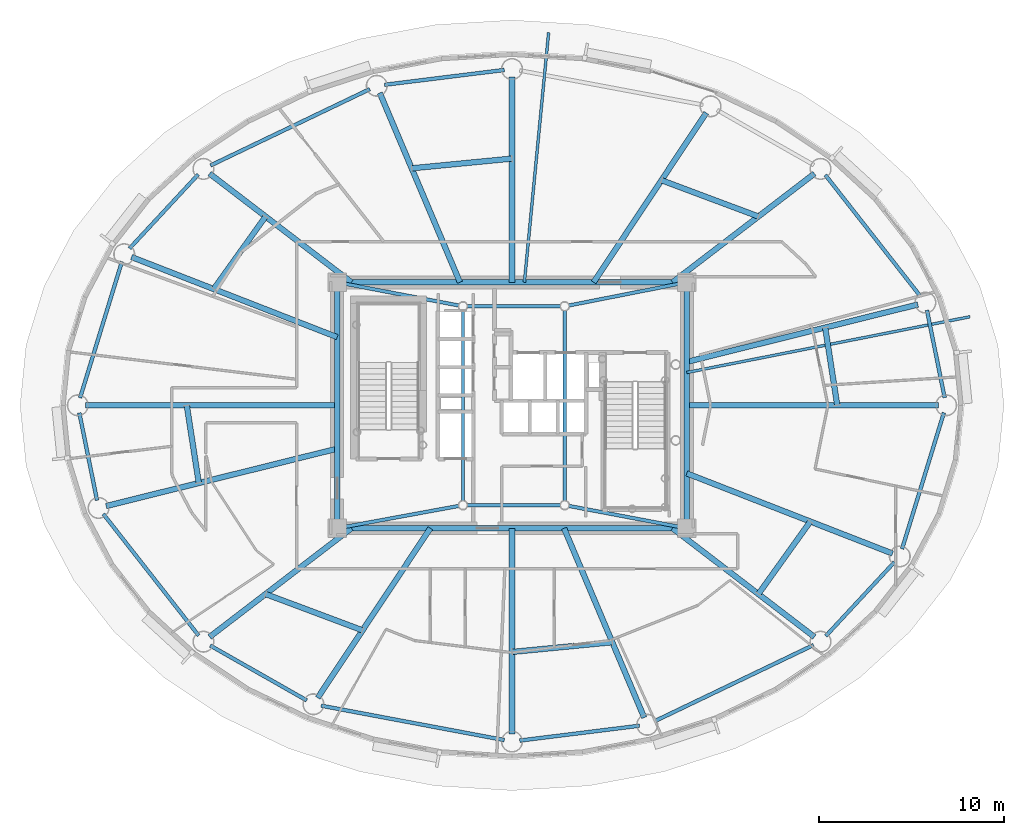
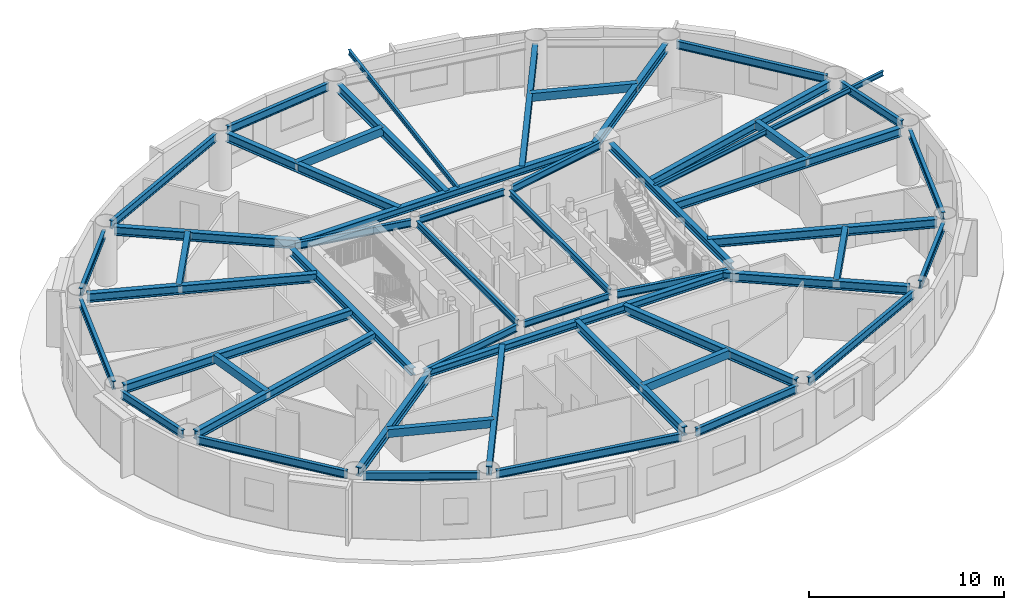
# One storey, part 3 of 19: 52 beams.
"""IFC4 building model written with IfcOpenShell, lengths in metres."""

from ifc_helpers import new_model, si_unit, direction, frame, origin, origin_2d, place, context, subcontext, project, spatial, hollow_rectangle, i_section, extrude, material, material_profile, profile_set, type_object, element, save


model = new_model("IFC4")

# Units and contexts
model_context = context("Model", 3, precision=1e-05, world=origin(), true_north=direction((0.0, 1.0)))
body_context = subcontext(model_context, "Body", "Model", "MODEL_VIEW")
ifc_project = project(units=[si_unit("LENGTHUNIT", "METRE"), si_unit("AREAUNIT", "SQUARE_METRE"), si_unit("VOLUMEUNIT", "CUBIC_METRE"), si_unit("PLANEANGLEUNIT", "RADIAN"), si_unit("MASSUNIT", "GRAM", prefix="KILO")], contexts=[model_context])

# Site, building, storey
site_placement = place(None, origin())
site = spatial("IfcSite", under=ifc_project, at=site_placement, CompositionType="ELEMENT")
building_placement = place(site_placement, origin())
building = spatial("IfcBuilding", under=site, at=building_placement, Name="Linh Dai School and Residence Tower", CompositionType="ELEMENT")
storey_placement = place(building_placement, frame((0.0, 0.0, 210.300048828125)))
storey = spatial("IfcBuildingStorey", under=building, at=storey_placement, Name="L51", CompositionType="ELEMENT", Elevation=210.300048828125)

# Beams
ifc_material = material(Name="Structural Steel S355JR", Category="steel")
ifc_material_profile_1 = material_profile(ifc_material, i_section(OverallWidth=0.14990234375, OverallDepth=0.300048828125, WebThickness=0.007080078125, FlangeThickness=0.0107421875, at=origin_2d()), Name="IPE 300")
ifc_profile_set_1 = profile_set([ifc_material_profile_1], Name="Structural Steel S355JR")
beam_type_1 = type_object("IfcBeamType", Name="BM-BALC-CANT", PredefinedType="BEAM", material=ifc_profile_set_1)
beam_1_placement = place(storey_placement, frame((45.449951171875, 28.770751953125, 3.349853515625), z_axis=(0.981150475186, 0.193245297597, 0.0), x_axis=(-0.193245297597, 0.981150475186, 0.0)))
element("IfcBeam", 1, at=beam_1_placement, inside=storey, type_object=beam_type_1, Name="L52 Balcony Continuous Cantilever Beam 02", PredefinedType="BEAM", context=body_context, shape_type="SweptSolid", body=[
    extrude(i_section(OverallWidth=0.14990234375, OverallDepth=0.300048828125, WebThickness=0.007080078125, FlangeThickness=0.0107421875, at=origin_2d()), origin(), (0.0, 0.0, 1.0), 15.6064453125),
])
beam_2_placement = place(storey_placement, frame((36.670166015625, 33.64990234375, 3.349853515625), z_axis=(0.096583141072, 0.995324920245, 0.0), x_axis=(-0.995324920245, 0.096583141072, 0.0)))
element("IfcBeam", 2, at=beam_2_placement, inside=storey, type_object=beam_type_1, Name="L52 Balcony Continuous Cantilever Beam 10", PredefinedType="BEAM", context=body_context, shape_type="SweptSolid", body=[
    extrude(i_section(OverallWidth=0.14990234375, OverallDepth=0.300048828125, WebThickness=0.007080078125, FlangeThickness=0.0107421875, at=origin_2d()), origin(), (0.0, 0.0, 1.0), 13.55908203125),
])
ifc_material_profile_2 = material_profile(ifc_material, hollow_rectangle(XDim=0.300048828125, YDim=0.5, WallThickness=0.01611328125, at=origin_2d()), Name="RHS 500x300x16")
ifc_profile_set_2 = profile_set([ifc_material_profile_2], Name="Structural Steel S355JR")
beam_type_2 = type_object("IfcBeamType", Name="BM-BX5", PredefinedType="BEAM", material=ifc_profile_set_2)
beam_3_placement = place(storey_placement, frame((53.583740234375, 27.0048828125, 3.25), z_axis=(-0.153185278766, 0.988197485511, 0.0), x_axis=(-0.988197485511, -0.153185278766, 0.0)))
element("IfcBeam", 3, at=beam_3_placement, inside=storey, type_object=beam_type_2, Name="L51 Secondary Circumferential Floor Beam 01", PredefinedType="BEAM", context=body_context, shape_type="SweptSolid", body=[
    extrude(hollow_rectangle(XDim=0.300048828125, YDim=0.5, WallThickness=0.01611328125, at=origin_2d()), origin(), (0.0, 0.0, 1.0), 4.244140625),
])
beam_4_placement = place(storey_placement, frame((49.3173828125, 37.207763671875, 3.25), z_axis=(-0.936542736839, 0.350553422567, 0.0), x_axis=(-0.350553422567, -0.936542736839, 0.0)))
element("IfcBeam", 4, at=beam_4_placement, inside=storey, type_object=beam_type_2, Name="L51 Secondary Circumferential Floor Beam 02", PredefinedType="BEAM", context=body_context, shape_type="SweptSolid", body=[
    extrude(hollow_rectangle(XDim=0.300048828125, YDim=0.5, WallThickness=0.01611328125, at=origin_2d()), origin(), (0.0, 0.0, 1.0), 5.586181640625),
])
beam_5_placement = place(storey_placement, frame((35.9951171875, 40.3369140625, 3.25), z_axis=(-0.99533180868, -0.096512126851, 0.0), x_axis=(0.096512126851, -0.99533180868, 0.0)))
element("IfcBeam", 5, at=beam_5_placement, inside=storey, type_object=beam_type_2, Name="L51 Secondary Circumferential Floor Beam 03", PredefinedType="BEAM", context=body_context, shape_type="SweptSolid", body=[
    extrude(hollow_rectangle(XDim=0.300048828125, YDim=0.5, WallThickness=0.01611328125, at=origin_2d()), origin(), (0.0, 0.0, 1.0), 5.438720703125),
])
beam_6_placement = place(storey_placement, frame((22.675048828125, 37.201904296875, 3.25), z_axis=(-0.582034525951, -0.813164073605, 0.0), x_axis=(0.813164073605, -0.582034525951, 0.0)))
element("IfcBeam", 6, at=beam_6_placement, inside=storey, type_object=beam_type_2, Name="L51 Secondary Circumferential Floor Beam 04", PredefinedType="BEAM", context=body_context, shape_type="SweptSolid", body=[
    extrude(hollow_rectangle(XDim=0.300048828125, YDim=0.5, WallThickness=0.01611328125, at=origin_2d()), origin(), (0.0, 0.0, 1.0), 4.8125),
])
beam_7_placement = place(storey_placement, frame((18.416259765625, 26.9951171875, 3.25), z_axis=(0.153185278766, -0.988197485511, 0.0), x_axis=(0.988197485511, 0.153185278766, 0.0)))
element("IfcBeam", 7, at=beam_7_placement, inside=storey, type_object=beam_type_2, Name="L51 Secondary Circumferential Floor Beam 05", PredefinedType="BEAM", context=body_context, shape_type="SweptSolid", body=[
    extrude(hollow_rectangle(XDim=0.300048828125, YDim=0.5, WallThickness=0.01611328125, at=origin_2d()), origin(), (0.0, 0.0, 1.0), 4.244140625),
])
beam_8_placement = place(storey_placement, frame((22.6826171875, 16.792236328125, 3.25), z_axis=(0.936542736839, -0.350553422567, 0.0), x_axis=(0.350553422567, 0.936542736839, 0.0)))
element("IfcBeam", 8, at=beam_8_placement, inside=storey, type_object=beam_type_2, Name="L51 Secondary Circumferential Floor Beam 06", PredefinedType="BEAM", context=body_context, shape_type="SweptSolid", body=[
    extrude(hollow_rectangle(XDim=0.300048828125, YDim=0.5, WallThickness=0.01611328125, at=origin_2d()), origin(), (0.0, 0.0, 1.0), 5.586181640625),
])
beam_9_placement = place(storey_placement, frame((36.0048828125, 13.6630859375, 3.25), z_axis=(0.99533180868, 0.096512126851, 0.0), x_axis=(-0.096512126851, 0.99533180868, 0.0)))
element("IfcBeam", 9, at=beam_9_placement, inside=storey, type_object=beam_type_2, Name="L51 Secondary Circumferential Floor Beam 07", PredefinedType="BEAM", context=body_context, shape_type="SweptSolid", body=[
    extrude(hollow_rectangle(XDim=0.300048828125, YDim=0.5, WallThickness=0.01611328125, at=origin_2d()), origin(), (0.0, 0.0, 1.0), 5.438720703125),
])
beam_10_placement = place(storey_placement, frame((49.324951171875, 16.798095703125, 3.25), z_axis=(0.582034525951, 0.813164073605, 0.0), x_axis=(-0.813164073605, 0.582034525951, 0.0)))
element("IfcBeam", 10, at=beam_10_placement, inside=storey, type_object=beam_type_2, Name="L51 Secondary Circumferential Floor Beam 08", PredefinedType="BEAM", context=body_context, shape_type="SweptSolid", body=[
    extrude(hollow_rectangle(XDim=0.300048828125, YDim=0.5, WallThickness=0.01611328125, at=origin_2d()), origin(), (0.0, 0.0, 1.0), 4.8125),
])
ifc_material_profile_3 = material_profile(ifc_material, i_section(OverallWidth=0.199951171875, OverallDepth=0.5, WebThickness=0.01025390625, FlangeThickness=0.01611328125, FilletRadius=0.02099609375, at=origin_2d()), Name="IPE 500")
ifc_profile_set_3 = profile_set([ifc_material_profile_3], Name="Structural Steel S355JR")
beam_type_3 = type_object("IfcBeamType", Name="BM-RB50", PredefinedType="BEAM", material=ifc_profile_set_3)
beam_11_placement = place(storey_placement, frame((59.3916015625, 27.41162109375, 3.25), z_axis=(-0.198423200906, 0.980116438666, 0.0), x_axis=(-0.980116438666, -0.198423200906, 0.0)))
element("IfcBeam", 11, at=beam_11_placement, inside=storey, type_object=beam_type_3, Name="L51 Perimeter Elliptical Ring Beam 01", PredefinedType="BEAM", context=body_context, shape_type="SweptSolid", body=[
    extrude(i_section(OverallWidth=0.199951171875, OverallDepth=0.5, WebThickness=0.01025390625, FlangeThickness=0.01611328125, FilletRadius=0.02099609375, at=origin_2d()), origin(), (0.0, 0.0, 1.0), 4.822021484375),
])
beam_12_placement = place(storey_placement, frame((58.09228515625, 32.8798828125, 3.25), z_axis=(-0.616900268003, 0.787041332674, 0.0), x_axis=(-0.787041332674, -0.616900268003, 0.0)))
element("IfcBeam", 12, at=beam_12_placement, inside=storey, type_object=beam_type_3, Name="L51 Perimeter Elliptical Ring Beam 02", PredefinedType="BEAM", context=body_context, shape_type="SweptSolid", body=[
    extrude(i_section(OverallWidth=0.199951171875, OverallDepth=0.5, WebThickness=0.01025390625, FlangeThickness=0.01611328125, FilletRadius=0.02099609375, at=origin_2d()), origin(), (0.0, 0.0, 1.0), 8.348388671875),
])
beam_13_placement = place(storey_placement, frame((35.583251953125, 45.12841796875, 3.25), z_axis=(-0.992401656104, -0.123040452539, 0.0), x_axis=(0.123040452539, -0.992401656104, 0.0)))
element("IfcBeam", 13, at=beam_13_placement, inside=storey, type_object=beam_type_3, Name="L51 Perimeter Elliptical Ring Beam 05", PredefinedType="BEAM", context=body_context, shape_type="SweptSolid", body=[
    extrude(i_section(OverallWidth=0.199951171875, OverallDepth=0.5, WebThickness=0.01025390625, FlangeThickness=0.01611328125, FilletRadius=0.02099609375, at=origin_2d()), origin(), (0.0, 0.0, 1.0), 6.528076171875),
])
beam_14_placement = place(storey_placement, frame((28.309326171875, 44.092041015625, 3.25), z_axis=(-0.901735920201, -0.432287323686, 0.0), x_axis=(0.432287323686, -0.901735920201, 0.0)))
element("IfcBeam", 14, at=beam_14_placement, inside=storey, type_object=beam_type_3, Name="L51 Perimeter Elliptical Ring Beam 06", PredefinedType="BEAM", context=body_context, shape_type="SweptSolid", body=[
    extrude(i_section(OverallWidth=0.199951171875, OverallDepth=0.5, WebThickness=0.01025390625, FlangeThickness=0.01611328125, FilletRadius=0.02099609375, at=origin_2d()), origin(), (0.0, 0.0, 1.0), 9.552490234375),
])
beam_15_placement = place(storey_placement, frame((19.031005859375, 39.47314453125, 3.25), z_axis=(-0.68040816846, -0.732833353699, 0.0), x_axis=(0.732833353699, -0.68040816846, 0.0)))
element("IfcBeam", 15, at=beam_15_placement, inside=storey, type_object=beam_type_3, Name="L51 Perimeter Elliptical Ring Beam 07", PredefinedType="BEAM", context=body_context, shape_type="SweptSolid", body=[
    extrude(i_section(OverallWidth=0.199951171875, OverallDepth=0.5, WebThickness=0.01025390625, FlangeThickness=0.01611328125, FilletRadius=0.02099609375, at=origin_2d()), origin(), (0.0, 0.0, 1.0), 5.453369140625),
])
beam_16_placement = place(storey_placement, frame((14.911376953125, 34.767578125, 3.25), z_axis=(-0.293660595717, -0.95590975229, 0.0), x_axis=(0.95590975229, -0.293660595717, 0.0)))
element("IfcBeam", 16, at=beam_16_placement, inside=storey, type_object=beam_type_3, Name="L51 Perimeter Elliptical Ring Beam 08", PredefinedType="BEAM", context=body_context, shape_type="SweptSolid", body=[
    extrude(i_section(OverallWidth=0.199951171875, OverallDepth=0.5, WebThickness=0.01025390625, FlangeThickness=0.01611328125, FilletRadius=0.02099609375, at=origin_2d()), origin(), (0.0, 0.0, 1.0), 7.7060546875),
])
beam_17_placement = place(storey_placement, frame((12.6083984375, 26.58837890625, 3.25), z_axis=(0.198423200906, -0.980116438666, 0.0), x_axis=(0.980116438666, 0.198423200906, 0.0)))
element("IfcBeam", 17, at=beam_17_placement, inside=storey, type_object=beam_type_3, Name="L51 Perimeter Elliptical Ring Beam 09", PredefinedType="BEAM", context=body_context, shape_type="SweptSolid", body=[
    extrude(i_section(OverallWidth=0.199951171875, OverallDepth=0.5, WebThickness=0.01025390625, FlangeThickness=0.01611328125, FilletRadius=0.02099609375, at=origin_2d()), origin(), (0.0, 0.0, 1.0), 4.822021484375),
])
beam_18_placement = place(storey_placement, frame((13.90771484375, 21.1201171875, 3.25), z_axis=(0.616900268003, -0.787041332674, 0.0), x_axis=(0.787041332674, 0.616900268003, 0.0)))
element("IfcBeam", 18, at=beam_18_placement, inside=storey, type_object=beam_type_3, Name="L51 Perimeter Elliptical Ring Beam 10", PredefinedType="BEAM", context=body_context, shape_type="SweptSolid", body=[
    extrude(i_section(OverallWidth=0.199951171875, OverallDepth=0.5, WebThickness=0.01025390625, FlangeThickness=0.01611328125, FilletRadius=0.02099609375, at=origin_2d()), origin(), (0.0, 0.0, 1.0), 8.348388671875),
])
beam_19_placement = place(storey_placement, frame((19.681884765625, 14.011474609375, 3.25), z_axis=(0.869297314463, -0.494289570058, 0.0), x_axis=(0.494289570058, 0.869297314463, 0.0)))
element("IfcBeam", 19, at=beam_19_placement, inside=storey, type_object=beam_type_3, Name="L51 Perimeter Elliptical Ring Beam 11", PredefinedType="BEAM", context=body_context, shape_type="SweptSolid", body=[
    extrude(i_section(OverallWidth=0.199951171875, OverallDepth=0.5, WebThickness=0.01025390625, FlangeThickness=0.01611328125, FilletRadius=0.02099609375, at=origin_2d()), origin(), (0.0, 0.0, 1.0), 6.003173828125),
])
beam_20_placement = place(storey_placement, frame((25.67822265625, 10.759033203125, 3.25), z_axis=(0.982806607762, -0.184637947722, 0.0), x_axis=(0.184637947722, 0.982806607762, 0.0)))
element("IfcBeam", 20, at=beam_20_placement, inside=storey, type_object=beam_type_3, Name="L51 Perimeter Elliptical Ring Beam 12", PredefinedType="BEAM", context=body_context, shape_type="SweptSolid", body=[
    extrude(i_section(OverallWidth=0.199951171875, OverallDepth=0.5, WebThickness=0.01025390625, FlangeThickness=0.01611328125, FilletRadius=0.02099609375, at=origin_2d()), origin(), (0.0, 0.0, 1.0), 10.082275390625),
])
beam_21_placement = place(storey_placement, frame((36.416748046875, 8.87158203125, 3.25), z_axis=(0.992401656104, 0.123040452539, 0.0), x_axis=(-0.123040452539, 0.992401656104, 0.0)))
element("IfcBeam", 21, at=beam_21_placement, inside=storey, type_object=beam_type_3, Name="L51 Perimeter Elliptical Ring Beam 13", PredefinedType="BEAM", context=body_context, shape_type="SweptSolid", body=[
    extrude(i_section(OverallWidth=0.199951171875, OverallDepth=0.5, WebThickness=0.01025390625, FlangeThickness=0.01611328125, FilletRadius=0.02099609375, at=origin_2d()), origin(), (0.0, 0.0, 1.0), 6.528076171875),
])
beam_22_placement = place(storey_placement, frame((43.690673828125, 9.907958984375, 3.25), z_axis=(0.901735920201, 0.432287323686, 0.0), x_axis=(-0.432287323686, 0.901735920201, 0.0)))
element("IfcBeam", 22, at=beam_22_placement, inside=storey, type_object=beam_type_3, Name="L51 Perimeter Elliptical Ring Beam 14", PredefinedType="BEAM", context=body_context, shape_type="SweptSolid", body=[
    extrude(i_section(OverallWidth=0.199951171875, OverallDepth=0.5, WebThickness=0.01025390625, FlangeThickness=0.01611328125, FilletRadius=0.02099609375, at=origin_2d()), origin(), (0.0, 0.0, 1.0), 9.552490234375),
])
beam_23_placement = place(storey_placement, frame((52.968994140625, 14.52685546875, 3.25), z_axis=(0.68040816846, 0.732833353699, 0.0), x_axis=(-0.732833353699, 0.68040816846, 0.0)))
element("IfcBeam", 23, at=beam_23_placement, inside=storey, type_object=beam_type_3, Name="L51 Perimeter Elliptical Ring Beam 15", PredefinedType="BEAM", context=body_context, shape_type="SweptSolid", body=[
    extrude(i_section(OverallWidth=0.199951171875, OverallDepth=0.5, WebThickness=0.01025390625, FlangeThickness=0.01611328125, FilletRadius=0.02099609375, at=origin_2d()), origin(), (0.0, 0.0, 1.0), 5.453369140625),
])
beam_24_placement = place(storey_placement, frame((57.088623046875, 19.232421875, 3.25), z_axis=(0.293660595717, 0.95590975229, 0.0), x_axis=(-0.95590975229, 0.293660595717, 0.0)))
element("IfcBeam", 24, at=beam_24_placement, inside=storey, type_object=beam_type_3, Name="L51 Perimeter Elliptical Ring Beam 16", PredefinedType="BEAM", context=body_context, shape_type="SweptSolid", body=[
    extrude(i_section(OverallWidth=0.199951171875, OverallDepth=0.5, WebThickness=0.01025390625, FlangeThickness=0.01611328125, FilletRadius=0.02099609375, at=origin_2d()), origin(), (0.0, 0.0, 1.0), 7.7060546875),
])
ifc_material_profile_4 = material_profile(ifc_material, i_section(OverallWidth=0.300048828125, OverallDepth=0.449951171875, WebThickness=0.013916015625, FlangeThickness=0.02587890625, FilletRadius=0.027099609375, at=origin_2d()), Name="HEB 450")
ifc_profile_set_4 = profile_set([ifc_material_profile_4], Name="Structural Steel S355JR")
beam_type_4 = type_object("IfcBeamType", Name="BM-RG45", PredefinedType="BEAM", material=ifc_profile_set_4)
beam_25_placement = place(storey_placement, frame((26.969970703125, 20.35009765625, 3.27490234375), z_axis=(1.0, 0.0, 0.0), x_axis=(0.0, 1.0, 0.0)))
element("IfcBeam", 25, at=beam_25_placement, inside=storey, type_object=beam_type_4, Name="L51 Core Perimeter Coupling Girder 1", PredefinedType="BEAM", context=body_context, shape_type="SweptSolid", body=[
    extrude(i_section(OverallWidth=0.300048828125, OverallDepth=0.449951171875, WebThickness=0.013916015625, FlangeThickness=0.02587890625, FilletRadius=0.027099609375, at=origin_2d()), origin(), (0.0, 0.0, 1.0), 18.06005859375),
])
beam_26_placement = place(storey_placement, frame((45.449951171875, 20.77001953125, 3.27490234375), z_axis=(0.0, 1.0, 0.0), x_axis=(-1.0, 0.0, 0.0)))
element("IfcBeam", 26, at=beam_26_placement, inside=storey, type_object=beam_type_4, Name="L51 Core Perimeter Coupling Girder 2", PredefinedType="BEAM", context=body_context, shape_type="SweptSolid", body=[
    extrude(i_section(OverallWidth=0.300048828125, OverallDepth=0.449951171875, WebThickness=0.013916015625, FlangeThickness=0.02587890625, FilletRadius=0.027099609375, at=origin_2d()), origin(), (0.0, 0.0, 1.0), 12.4599609375),
])
beam_27_placement = place(storey_placement, frame((45.030029296875, 33.64990234375, 3.27490234375), z_axis=(-1.0, 0.0, 0.0), x_axis=(0.0, -1.0, 0.0)))
element("IfcBeam", 27, at=beam_27_placement, inside=storey, type_object=beam_type_4, Name="L51 Core Perimeter Coupling Girder 3", PredefinedType="BEAM", context=body_context, shape_type="SweptSolid", body=[
    extrude(i_section(OverallWidth=0.300048828125, OverallDepth=0.449951171875, WebThickness=0.013916015625, FlangeThickness=0.02587890625, FilletRadius=0.027099609375, at=origin_2d()), origin(), (0.0, 0.0, 1.0), 18.06005859375),
])
beam_28_placement = place(storey_placement, frame((26.550048828125, 33.22998046875, 3.27490234375), z_axis=(0.0, -1.0, 0.0), x_axis=(1.0, 0.0, 0.0)))
element("IfcBeam", 28, at=beam_28_placement, inside=storey, type_object=beam_type_4, Name="L51 Core Perimeter Coupling Girder 4", PredefinedType="BEAM", context=body_context, shape_type="SweptSolid", body=[
    extrude(i_section(OverallWidth=0.300048828125, OverallDepth=0.449951171875, WebThickness=0.013916015625, FlangeThickness=0.02587890625, FilletRadius=0.027099609375, at=origin_2d()), origin(), (0.0, 0.0, 1.0), 12.4599609375),
])
ifc_material_profile_5 = material_profile(ifc_material, i_section(OverallWidth=0.300048828125, OverallDepth=0.550048828125, WebThickness=0.014892578125, FlangeThickness=0.029052734375, FilletRadius=0.027099609375, at=origin_2d()), Name="HEB 550")
ifc_profile_set_5 = profile_set([ifc_material_profile_5], Name="Structural Steel S355JR")
beam_type_5 = type_object("IfcBeamType", Name="BM-RG55", PredefinedType="BEAM", material=ifc_profile_set_5)
beam_29_placement = place(storey_placement, frame((45.449951171875, 27.0, 3.224853515625), z_axis=(1.0, 0.0, 0.0), x_axis=(0.0, 1.0, 0.0)))
element("IfcBeam", 29, at=beam_29_placement, inside=storey, type_object=beam_type_5, Name="L51 Primary Radial Floor Girder 01", PredefinedType="BEAM", context=body_context, shape_type="SweptSolid", body=[
    extrude(i_section(OverallWidth=0.300048828125, OverallDepth=0.550048828125, WebThickness=0.014892578125, FlangeThickness=0.029052734375, FilletRadius=0.027099609375, at=origin_2d()), origin(), (0.0, 0.0, 1.0), 13.60498046875),
])
beam_30_placement = place(storey_placement, frame((45.449951171875, 29.34619140625, 3.224853515625), z_axis=(0.970537241974, 0.240951160904, 0.0), x_axis=(-0.240951160904, 0.970537241974, 0.0)))
element("IfcBeam", 30, at=beam_30_placement, inside=storey, type_object=beam_type_5, Name="L51 Primary Radial Floor Girder 02", PredefinedType="BEAM", context=body_context, shape_type="SweptSolid", body=[
    extrude(i_section(OverallWidth=0.300048828125, OverallDepth=0.550048828125, WebThickness=0.014892578125, FlangeThickness=0.029052734375, FilletRadius=0.027099609375, at=origin_2d()), origin(), (0.0, 0.0, 1.0), 12.873291015625),
])
beam_31_placement = place(storey_placement, frame((44.680419921875, 33.64990234375, 3.224853515625), z_axis=(0.793814553483, 0.608159892363, 0.0), x_axis=(-0.608159892363, 0.793814553483, 0.0)))
element("IfcBeam", 31, at=beam_31_placement, inside=storey, type_object=beam_type_5, Name="L51 Primary Radial Floor Girder 03", PredefinedType="BEAM", context=body_context, shape_type="SweptSolid", body=[
    extrude(i_section(OverallWidth=0.300048828125, OverallDepth=0.550048828125, WebThickness=0.014892578125, FlangeThickness=0.029052734375, FilletRadius=0.027099609375, at=origin_2d()), origin(), (0.0, 0.0, 1.0), 9.661376953125),
])
beam_32_placement = place(storey_placement, frame((40.41650390625, 33.64990234375, 3.224853515625), z_axis=(0.553219177991, 0.833035738191, 0.0), x_axis=(-0.833035738191, 0.553219177991, 0.0)))
element("IfcBeam", 32, at=beam_32_placement, inside=storey, type_object=beam_type_5, Name="L51 Primary Radial Floor Girder 04", PredefinedType="BEAM", context=body_context, shape_type="SweptSolid", body=[
    extrude(i_section(OverallWidth=0.300048828125, OverallDepth=0.550048828125, WebThickness=0.014892578125, FlangeThickness=0.029052734375, FilletRadius=0.027099609375, at=origin_2d()), origin(), (0.0, 0.0, 1.0), 11.00048828125),
])
beam_33_placement = place(storey_placement, frame((36.0, 33.64990234375, 3.224853515625), z_axis=(0.0, 1.0, 0.0), x_axis=(-1.0, 0.0, 0.0)))
element("IfcBeam", 33, at=beam_33_placement, inside=storey, type_object=beam_type_5, Name="L51 Primary Radial Floor Girder 05", PredefinedType="BEAM", context=body_context, shape_type="SweptSolid", body=[
    extrude(i_section(OverallWidth=0.300048828125, OverallDepth=0.550048828125, WebThickness=0.014892578125, FlangeThickness=0.029052734375, FilletRadius=0.027099609375, at=origin_2d()), origin(), (0.0, 0.0, 1.0), 11.110107421875),
])
beam_34_placement = place(storey_placement, frame((33.18505859375, 33.64990234375, 3.224853515625), z_axis=(-0.389814803082, 0.920893272479, 0.0), x_axis=(-0.920893272479, -0.389814803082, 0.0)))
element("IfcBeam", 34, at=beam_34_placement, inside=storey, type_object=beam_type_5, Name="L51 Primary Radial Floor Girder 06", PredefinedType="BEAM", context=body_context, shape_type="SweptSolid", body=[
    extrude(i_section(OverallWidth=0.300048828125, OverallDepth=0.550048828125, WebThickness=0.014892578125, FlangeThickness=0.029052734375, FilletRadius=0.027099609375, at=origin_2d()), origin(), (0.0, 0.0, 1.0), 11.1162109375),
])
beam_35_placement = place(storey_placement, frame((27.319580078125, 33.64990234375, 3.224853515625), z_axis=(-0.793814553483, 0.608159892363, 0.0), x_axis=(-0.608159892363, -0.793814553483, 0.0)))
element("IfcBeam", 35, at=beam_35_placement, inside=storey, type_object=beam_type_5, Name="L51 Primary Radial Floor Girder 07", PredefinedType="BEAM", context=body_context, shape_type="SweptSolid", body=[
    extrude(i_section(OverallWidth=0.300048828125, OverallDepth=0.550048828125, WebThickness=0.014892578125, FlangeThickness=0.029052734375, FilletRadius=0.027099609375, at=origin_2d()), origin(), (0.0, 0.0, 1.0), 9.661376953125),
])
beam_36_placement = place(storey_placement, frame((26.550048828125, 30.68212890625, 3.224853515625), z_axis=(-0.931764994123, 0.363061972295, 0.0), x_axis=(-0.363061972295, -0.931764994123, 0.0)))
element("IfcBeam", 36, at=beam_36_placement, inside=storey, type_object=beam_type_5, Name="L51 Primary Radial Floor Girder 08", PredefinedType="BEAM", context=body_context, shape_type="SweptSolid", body=[
    extrude(i_section(OverallWidth=0.300048828125, OverallDepth=0.550048828125, WebThickness=0.014892578125, FlangeThickness=0.029052734375, FilletRadius=0.027099609375, at=origin_2d()), origin(), (0.0, 0.0, 1.0), 11.938720703125),
])
beam_37_placement = place(storey_placement, frame((26.550048828125, 27.0, 3.224853515625), z_axis=(-1.0, 0.0, 0.0), x_axis=(0.0, -1.0, 0.0)))
element("IfcBeam", 37, at=beam_37_placement, inside=storey, type_object=beam_type_5, Name="L51 Primary Radial Floor Girder 09", PredefinedType="BEAM", context=body_context, shape_type="SweptSolid", body=[
    extrude(i_section(OverallWidth=0.300048828125, OverallDepth=0.550048828125, WebThickness=0.014892578125, FlangeThickness=0.029052734375, FilletRadius=0.027099609375, at=origin_2d()), origin(), (0.0, 0.0, 1.0), 13.60498046875),
])
beam_38_placement = place(storey_placement, frame((26.550048828125, 24.65380859375, 3.224853515625), z_axis=(-0.970537241974, -0.240951160904, 0.0), x_axis=(0.240951160904, -0.970537241974, 0.0)))
element("IfcBeam", 38, at=beam_38_placement, inside=storey, type_object=beam_type_5, Name="L51 Primary Radial Floor Girder 10", PredefinedType="BEAM", context=body_context, shape_type="SweptSolid", body=[
    extrude(i_section(OverallWidth=0.300048828125, OverallDepth=0.550048828125, WebThickness=0.014892578125, FlangeThickness=0.029052734375, FilletRadius=0.027099609375, at=origin_2d()), origin(), (0.0, 0.0, 1.0), 12.873291015625),
])
beam_39_placement = place(storey_placement, frame((27.319580078125, 20.35009765625, 3.224853515625), z_axis=(-0.793814553483, -0.608159892363, 0.0), x_axis=(0.608159892363, -0.793814553483, 0.0)))
element("IfcBeam", 39, at=beam_39_placement, inside=storey, type_object=beam_type_5, Name="L51 Primary Radial Floor Girder 11", PredefinedType="BEAM", context=body_context, shape_type="SweptSolid", body=[
    extrude(i_section(OverallWidth=0.300048828125, OverallDepth=0.550048828125, WebThickness=0.014892578125, FlangeThickness=0.029052734375, FilletRadius=0.027099609375, at=origin_2d()), origin(), (0.0, 0.0, 1.0), 9.661376953125),
])
beam_40_placement = place(storey_placement, frame((31.58349609375, 20.35009765625, 3.224853515625), z_axis=(-0.553219177991, -0.833035738191, 0.0), x_axis=(0.833035738191, -0.553219177991, 0.0)))
element("IfcBeam", 40, at=beam_40_placement, inside=storey, type_object=beam_type_5, Name="L51 Primary Radial Floor Girder 12", PredefinedType="BEAM", context=body_context, shape_type="SweptSolid", body=[
    extrude(i_section(OverallWidth=0.300048828125, OverallDepth=0.550048828125, WebThickness=0.014892578125, FlangeThickness=0.029052734375, FilletRadius=0.027099609375, at=origin_2d()), origin(), (0.0, 0.0, 1.0), 11.00048828125),
])
beam_41_placement = place(storey_placement, frame((36.0, 20.35009765625, 3.224853515625), z_axis=(0.0, -1.0, 0.0), x_axis=(1.0, 0.0, 0.0)))
element("IfcBeam", 41, at=beam_41_placement, inside=storey, type_object=beam_type_5, Name="L51 Primary Radial Floor Girder 13", PredefinedType="BEAM", context=body_context, shape_type="SweptSolid", body=[
    extrude(i_section(OverallWidth=0.300048828125, OverallDepth=0.550048828125, WebThickness=0.014892578125, FlangeThickness=0.029052734375, FilletRadius=0.027099609375, at=origin_2d()), origin(), (0.0, 0.0, 1.0), 11.110107421875),
])
beam_42_placement = place(storey_placement, frame((38.81494140625, 20.35009765625, 3.224853515625), z_axis=(0.389814803082, -0.920893272479, 0.0), x_axis=(0.920893272479, 0.389814803082, 0.0)))
element("IfcBeam", 42, at=beam_42_placement, inside=storey, type_object=beam_type_5, Name="L51 Primary Radial Floor Girder 14", PredefinedType="BEAM", context=body_context, shape_type="SweptSolid", body=[
    extrude(i_section(OverallWidth=0.300048828125, OverallDepth=0.550048828125, WebThickness=0.014892578125, FlangeThickness=0.029052734375, FilletRadius=0.027099609375, at=origin_2d()), origin(), (0.0, 0.0, 1.0), 11.1162109375),
])
beam_43_placement = place(storey_placement, frame((44.680419921875, 20.35009765625, 3.224853515625), z_axis=(0.793814553483, -0.608159892363, 0.0), x_axis=(0.608159892363, 0.793814553483, 0.0)))
element("IfcBeam", 43, at=beam_43_placement, inside=storey, type_object=beam_type_5, Name="L51 Primary Radial Floor Girder 15", PredefinedType="BEAM", context=body_context, shape_type="SweptSolid", body=[
    extrude(i_section(OverallWidth=0.300048828125, OverallDepth=0.550048828125, WebThickness=0.014892578125, FlangeThickness=0.029052734375, FilletRadius=0.027099609375, at=origin_2d()), origin(), (0.0, 0.0, 1.0), 9.661376953125),
])
beam_44_placement = place(storey_placement, frame((45.449951171875, 23.31787109375, 3.224853515625), z_axis=(0.931764994123, -0.363061972295, 0.0), x_axis=(0.363061972295, 0.931764994123, 0.0)))
element("IfcBeam", 44, at=beam_44_placement, inside=storey, type_object=beam_type_5, Name="L51 Primary Radial Floor Girder 16", PredefinedType="BEAM", context=body_context, shape_type="SweptSolid", body=[
    extrude(i_section(OverallWidth=0.300048828125, OverallDepth=0.550048828125, WebThickness=0.014892578125, FlangeThickness=0.029052734375, FilletRadius=0.027099609375, at=origin_2d()), origin(), (0.0, 0.0, 1.0), 11.938720703125),
])
ifc_material_profile_6 = material_profile(ifc_material, i_section(OverallWidth=0.179931640625, OverallDepth=0.39990234375, WebThickness=0.008544921875, FlangeThickness=0.013427734375, FilletRadius=0.02099609375, at=origin_2d()), Name="IPE 400")
ifc_profile_set_6 = profile_set([ifc_material_profile_6], Name="Structural Steel S355JR")
beam_type_6 = type_object("IfcBeamType", Name="BM-SB40", PredefinedType="BEAM", material=ifc_profile_set_6)
beam_45_placement = place(storey_placement, frame((33.573974609375, 21.60009765625, 3.300048828125), z_axis=(1.0, 0.0, 0.0), x_axis=(0.0, 1.0, 0.0)))
element("IfcBeam", 45, at=beam_45_placement, inside=storey, type_object=beam_type_6, Name="L51 Core Mast Pier Tie Beam 1", PredefinedType="BEAM", context=body_context, shape_type="SweptSolid", body=[
    extrude(i_section(OverallWidth=0.179931640625, OverallDepth=0.39990234375, WebThickness=0.008544921875, FlangeThickness=0.013427734375, FilletRadius=0.02099609375, at=origin_2d()), origin(), (0.0, 0.0, 1.0), 5.052001953125),
])
beam_46_placement = place(storey_placement, frame((38.85009765625, 21.823974609375, 3.300048828125), z_axis=(0.0, 1.0, 0.0), x_axis=(-1.0, 0.0, 0.0)))
element("IfcBeam", 46, at=beam_46_placement, inside=storey, type_object=beam_type_6, Name="L51 Core Mast Pier Tie Beam 2", PredefinedType="BEAM", context=body_context, shape_type="SweptSolid", body=[
    extrude(i_section(OverallWidth=0.179931640625, OverallDepth=0.39990234375, WebThickness=0.008544921875, FlangeThickness=0.013427734375, FilletRadius=0.02099609375, at=origin_2d()), origin(), (0.0, 0.0, 1.0), 10.302001953125),
])
beam_47_placement = place(storey_placement, frame((38.6259765625, 32.35009765625, 3.300048828125), z_axis=(-1.0, 0.0, 0.0), x_axis=(0.0, -1.0, 0.0)))
element("IfcBeam", 47, at=beam_47_placement, inside=storey, type_object=beam_type_6, Name="L51 Core Mast Pier Tie Beam 3", PredefinedType="BEAM", context=body_context, shape_type="SweptSolid", body=[
    extrude(i_section(OverallWidth=0.179931640625, OverallDepth=0.39990234375, WebThickness=0.008544921875, FlangeThickness=0.013427734375, FilletRadius=0.02099609375, at=origin_2d()), origin(), (0.0, 0.0, 1.0), 5.052001953125),
])
beam_48_placement = place(storey_placement, frame((33.35009765625, 32.1259765625, 3.300048828125), z_axis=(0.0, -1.0, 0.0), x_axis=(1.0, 0.0, 0.0)))
element("IfcBeam", 48, at=beam_48_placement, inside=storey, type_object=beam_type_6, Name="L51 Core Mast Pier Tie Beam 4", PredefinedType="BEAM", context=body_context, shape_type="SweptSolid", body=[
    extrude(i_section(OverallWidth=0.179931640625, OverallDepth=0.39990234375, WebThickness=0.008544921875, FlangeThickness=0.013427734375, FilletRadius=0.02099609375, at=origin_2d()), origin(), (0.0, 0.0, 1.0), 10.302001953125),
])
ifc_material_profile_7 = material_profile(ifc_material, i_section(OverallWidth=0.18994140625, OverallDepth=0.449951171875, WebThickness=0.009521484375, FlangeThickness=0.0146484375, FilletRadius=0.02099609375, at=origin_2d()), Name="IPE 450")
ifc_profile_set_7 = profile_set([ifc_material_profile_7], Name="Structural Steel S355JR")
beam_type_7 = type_object("IfcBeamType", Name="BM-SB45", PredefinedType="BEAM", material=ifc_profile_set_7)
beam_49_placement = place(storey_placement, frame((26.963134765625, 20.426025390625, 3.27490234375), z_axis=(0.983521034508, 0.180793735182, 0.0), x_axis=(-0.180793735182, 0.983521034508, 0.0)))
element("IfcBeam", 49, at=beam_49_placement, inside=storey, type_object=beam_type_7, Name="L51 Core Corner-to-Mast Pier Beam 1", PredefinedType="BEAM", context=body_context, shape_type="SweptSolid", body=[
    extrude(i_section(OverallWidth=0.18994140625, OverallDepth=0.449951171875, WebThickness=0.009521484375, FlangeThickness=0.0146484375, FilletRadius=0.02099609375, at=origin_2d()), origin(), (0.0, 0.0, 1.0), 6.269775390625),
])
beam_50_placement = place(storey_placement, frame((45.037353515625, 20.42822265625, 3.27490234375), z_axis=(-0.982534706692, 0.186079418921, 0.0), x_axis=(-0.186079418921, -0.982534706692, 0.0)))
element("IfcBeam", 50, at=beam_50_placement, inside=storey, type_object=beam_type_7, Name="L51 Core Corner-to-Mast Pier Beam 2", PredefinedType="BEAM", context=body_context, shape_type="SweptSolid", body=[
    extrude(i_section(OverallWidth=0.18994140625, OverallDepth=0.449951171875, WebThickness=0.009521484375, FlangeThickness=0.0146484375, FilletRadius=0.02099609375, at=origin_2d()), origin(), (0.0, 0.0, 1.0), 6.0732421875),
])
beam_51_placement = place(storey_placement, frame((45.037841796875, 33.56884765625, 3.27490234375), z_axis=(-0.981147696489, -0.193259405138, 0.0), x_axis=(0.193259405138, -0.981147696489, 0.0)))
element("IfcBeam", 51, at=beam_51_placement, inside=storey, type_object=beam_type_7, Name="L51 Core Corner-to-Mast Pier Beam 3", PredefinedType="BEAM", context=body_context, shape_type="SweptSolid", body=[
    extrude(i_section(OverallWidth=0.18994140625, OverallDepth=0.449951171875, WebThickness=0.009521484375, FlangeThickness=0.0146484375, FilletRadius=0.02099609375, at=origin_2d()), origin(), (0.0, 0.0, 1.0), 6.082763671875),
])
beam_52_placement = place(storey_placement, frame((26.962646484375, 33.571044921875, 3.27490234375), z_axis=(0.982214129725, -0.187764222812, 0.0), x_axis=(0.187764222812, 0.982214129725, 0.0)))
element("IfcBeam", 52, at=beam_52_placement, inside=storey, type_object=beam_type_7, Name="L51 Core Corner-to-Mast Pier Beam 4", PredefinedType="BEAM", context=body_context, shape_type="SweptSolid", body=[
    extrude(i_section(OverallWidth=0.18994140625, OverallDepth=0.449951171875, WebThickness=0.009521484375, FlangeThickness=0.0146484375, FilletRadius=0.02099609375, at=origin_2d()), origin(), (0.0, 0.0, 1.0), 6.27880859375),
])

save(model, "model.ifc")
